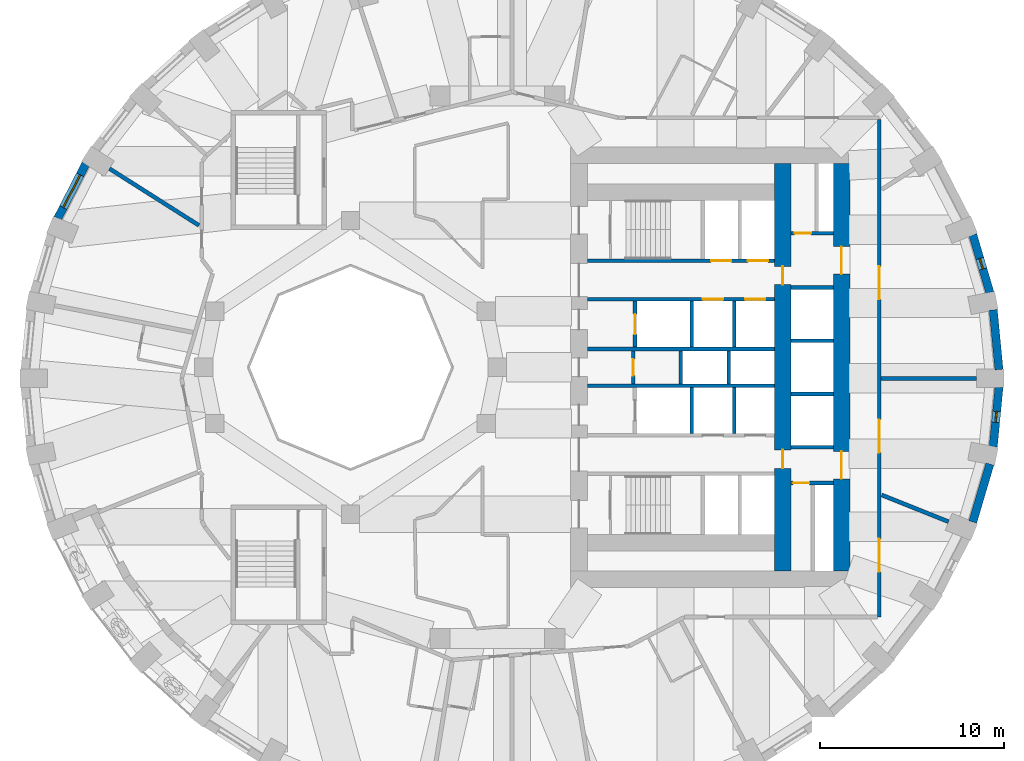
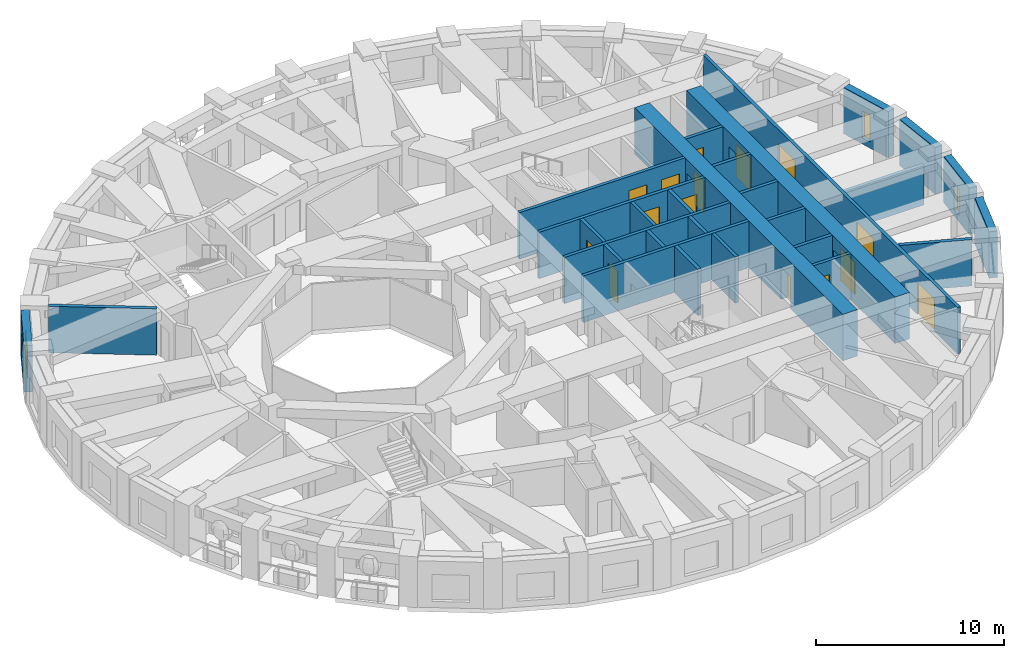
# One storey, part 6 of 12: 29 walls, 15 doors, 3 windows, 18 openings.
"""IFC4 building model written with IfcOpenShell, lengths in metres."""

from ifc_helpers import new_model, si_unit, direction, frame, frame_2d, origin, place, context, subcontext, project, spatial, rectangle, extrude, material, layer, layer_set, type_object, element, fill, save


model = new_model("IFC4")

# Units and contexts
model_context = context("Model", 3, precision=1e-05, world=origin(), true_north=direction((0.0, 1.0)))
body_context = subcontext(model_context, "Body", "Model", "MODEL_VIEW")
ifc_project = project(units=[si_unit("LENGTHUNIT", "METRE"), si_unit("AREAUNIT", "SQUARE_METRE"), si_unit("VOLUMEUNIT", "CUBIC_METRE"), si_unit("PLANEANGLEUNIT", "RADIAN"), si_unit("MASSUNIT", "GRAM", prefix="KILO")], contexts=[model_context])

# Site, building, storey
site_placement = place(None, origin())
site = spatial("IfcSite", under=ifc_project, at=site_placement, CompositionType="ELEMENT")
building_placement = place(site_placement, origin())
building = spatial("IfcBuilding", under=site, at=building_placement, Name="Taillehof Tower", CompositionType="ELEMENT")
storey_placement = place(building_placement, frame((0.0, 0.0, 95.5)))
storey = spatial("IfcBuildingStorey", under=building, at=storey_placement, Name="L26", CompositionType="ELEMENT", Elevation=95.5)

# Wall
ifc_material_1 = material(Name="Brick masonry", Category="masonry")
ifc_layer_1 = layer(ifc_material_1, 0.449951171875)
ifc_layer_set_1 = layer_set([ifc_layer_1], Name="Brick infill wall 450")
wall_type_1 = type_object("IfcWallType", Name="Brick infill wall 450", PredefinedType="SOLIDWALL", material=ifc_layer_set_1)
wall_1_placement = place(storey_placement, frame((27.32763671875, -0.119873046875, 0.0), z_axis=(0.0, 0.0, 1.0), x_axis=(-0.09589355735, 0.995391594127, 0.0)))
element("IfcWall", 1, at=wall_1_placement, inside=storey, type_object=wall_type_1, Name="Brick wall L26 bay 1", PredefinedType="SOLIDWALL", context=body_context, shape_type="SweptSolid", body=[
    extrude(rectangle(XDim=3.261474609375, YDim=0.449951171875, at=frame_2d((1.630859375, 0.0))), origin(), (0.0, 0.0, 1.0), 3.02001953125),
])

# Wall, opening, window
wall_2_placement = place(storey_placement, frame((26.83203125, 4.069091796875, 0.0), z_axis=(0.0, 0.0, 1.0), x_axis=(-0.283002902729, 0.959119052593, 0.0)))
wall_2 = element("IfcWall", 2, at=wall_2_placement, inside=storey, type_object=wall_type_1, Name="Brick wall L26 bay 2", PredefinedType="SOLIDWALL", context=body_context, shape_type="SweptSolid", body=[
    extrude(rectangle(XDim=3.285888671875, YDim=0.449951171875, at=frame_2d((1.64306640625, 0.0))), origin(), (0.0, 0.0, 1.0), 3.02001953125),
])
opening_1_placement = place(wall_2_placement, frame((1.343017578125, 0.0, 0.39990234375)))
opening_1 = element("IfcOpeningElement", 3, at=opening_1_placement, cuts=wall_2, Name="Opening W6", PredefinedType="OPENING", context=body_context, shape_type="SweptSolid", body=[
    extrude(rectangle(XDim=0.60009765625, YDim=1.75, at=frame_2d((0.300048828125, 0.875))), frame((0.0, 0.23486328125, 0.0), z_axis=(0.0, -1.0, 0.0), x_axis=(1.0, 0.0, 0.0)), (0.0, 0.0, 1.0), 0.469970703125),
])
ifc_material_2 = material(Name="Aluminium window frame with clear double glazing", Category="aluminium")
window_type_1 = type_object("IfcWindowType", Name="Slot window 600x1750", PartitioningType="SINGLE_PANEL", PredefinedType="WINDOW", material=ifc_material_2)
window_1_placement = place(opening_1_placement, origin())
window_1 = element("IfcWindow", 4, at=window_1_placement, inside=storey, type_object=window_type_1, Name="W6", OverallHeight=1.75, OverallWidth=0.60009765625, PartitioningType="SINGLE_PANEL", PredefinedType="WINDOW", context=body_context, shape_type="SweptSolid", body=[
    extrude(rectangle(XDim=0.60009765625, YDim=1.75, at=frame_2d((0.300048828125, 0.875))), frame((0.0, 0.034912109375, 0.0), z_axis=(0.0, -1.0, 0.0), x_axis=(1.0, 0.0, 0.0)), (0.0, 0.0, 1.0), 0.06005859375),
])
fill(opening_1, window_1)

wall_3_placement = place(storey_placement, frame((-22.4228515625, 11.076904296875, 0.0), z_axis=(0.0, 0.0, 1.0), x_axis=(-0.456828186229, -0.889554949549, 0.0)))
wall_3 = element("IfcWall", 5, at=wall_3_placement, inside=storey, type_object=wall_type_1, Name="Brick wall L26 bay 16", PredefinedType="SOLIDWALL", context=body_context, shape_type="SweptSolid", body=[
    extrude(rectangle(XDim=3.332763671875, YDim=0.449951171875, at=frame_2d((1.66650390625, 0.0))), origin(), (0.0, 0.0, 1.0), 3.02001953125),
])
opening_2_placement = place(wall_3_placement, frame((0.666259765625, 0.0, 0.39990234375)))
opening_2 = element("IfcOpeningElement", 6, at=opening_2_placement, cuts=wall_3, Name="Opening W2", PredefinedType="OPENING", context=body_context, shape_type="SweptSolid", body=[
    extrude(rectangle(XDim=2.0, YDim=1.75, at=frame_2d((1.0, 0.875))), frame((0.0, 0.23486328125, 0.0), z_axis=(0.0, -1.0, 0.0), x_axis=(1.0, 0.0, 0.0)), (0.0, 0.0, 1.0), 0.469970703125),
])
ifc_material_3 = material(Name="Aluminium window frame with clear double glazing", Category="aluminium")
window_type_2 = type_object("IfcWindowType", Name="Deep-set window 2000x1750", PartitioningType="SINGLE_PANEL", PredefinedType="WINDOW", material=ifc_material_3)
window_2_placement = place(opening_2_placement, origin())
window_2 = element("IfcWindow", 7, at=window_2_placement, inside=storey, type_object=window_type_2, Name="W2", OverallHeight=1.75, OverallWidth=2.0, PartitioningType="SINGLE_PANEL", PredefinedType="WINDOW", context=body_context, shape_type="SweptSolid", body=[
    extrude(rectangle(XDim=2.0, YDim=1.75, at=frame_2d((1.0, 0.875))), frame((0.0, 0.034912109375, 0.0), z_axis=(0.0, -1.0, 0.0), x_axis=(1.0, 0.0, 0.0)), (0.0, 0.0, 1.0), 0.06005859375),
])
fill(opening_2, window_2)

# Wall
wall_4_placement = place(storey_placement, frame((25.902099609375, -8.4208984375, 0.0), z_axis=(0.0, 0.0, 1.0), x_axis=(0.282982737009, 0.95912500257, 0.0)))
element("IfcWall", 8, at=wall_4_placement, inside=storey, type_object=wall_type_1, Name="Brick wall L26 bay 35", PredefinedType="SOLIDWALL", context=body_context, shape_type="SweptSolid", body=[
    extrude(rectangle(XDim=3.2861328125, YDim=0.449951171875, at=frame_2d((1.64306640625, 0.0))), origin(), (0.0, 0.0, 1.0), 3.02001953125),
])

# Wall, opening, window
wall_5_placement = place(storey_placement, frame((27.014892578125, -4.326416015625, 0.0), z_axis=(0.0, 0.0, 1.0), x_axis=(0.09589355735, 0.995391594127, 0.0)))
wall_5 = element("IfcWall", 9, at=wall_5_placement, inside=storey, type_object=wall_type_1, Name="Brick wall L26 bay 36", PredefinedType="SOLIDWALL", context=body_context, shape_type="SweptSolid", body=[
    extrude(rectangle(XDim=3.261474609375, YDim=0.449951171875, at=frame_2d((1.630859375, 0.0))), origin(), (0.0, 0.0, 1.0), 3.02001953125),
])
opening_3_placement = place(wall_5_placement, frame((1.33056640625, 0.0, 0.39990234375)))
opening_3 = element("IfcOpeningElement", 10, at=opening_3_placement, cuts=wall_5, Name="Opening W6", PredefinedType="OPENING", context=body_context, shape_type="SweptSolid", body=[
    extrude(rectangle(XDim=0.60009765625, YDim=1.75, at=frame_2d((0.300048828125, 0.875))), frame((0.0, 0.23486328125, 0.0), z_axis=(0.0, -1.0, 0.0), x_axis=(1.0, 0.0, 0.0)), (0.0, 0.0, 1.0), 0.469970703125),
])
window_3_placement = place(opening_3_placement, origin())
window_3 = element("IfcWindow", 11, at=window_3_placement, inside=storey, type_object=window_type_1, Name="W6", OverallHeight=1.75, OverallWidth=0.60009765625, PartitioningType="SINGLE_PANEL", PredefinedType="WINDOW", context=body_context, shape_type="SweptSolid", body=[
    extrude(rectangle(XDim=0.60009765625, YDim=1.75, at=frame_2d((0.300048828125, 0.875))), frame((0.0, 0.034912109375, 0.0), z_axis=(0.0, -1.0, 0.0), x_axis=(1.0, 0.0, 0.0)), (0.0, 0.0, 1.0), 0.06005859375),
])
fill(opening_3, window_3)

# Wall, opening, door
ifc_material_4 = material(Name="Calcium silicate masonry", Category="masonry")
ifc_layer_2 = layer(ifc_material_4, 0.199951171875)
ifc_layer_set_2 = layer_set([ifc_layer_2], Name="Compartment wall calcium silicate 200")
wall_type_2 = type_object("IfcWallType", Name="Compartment wall calcium silicate 200", PredefinedType="PARTITIONING", material=ifc_layer_set_2)
wall_6_placement = place(storey_placement, frame((7.39990234375, -0.89990234375, 0.0), z_axis=(0.0, 0.0, 1.0), x_axis=(0.0, 1.0, 0.0)))
wall_6 = element("IfcWall", 12, at=wall_6_placement, inside=storey, type_object=wall_type_2, Name="Compartment wall FW", PredefinedType="PARTITIONING", context=body_context, shape_type="SweptSolid", body=[
    extrude(rectangle(XDim=1.7998046875, YDim=0.199951171875, at=frame_2d((0.89990234375, 0.0))), origin(), (0.0, 0.0, 1.0), 3.02001953125),
])
opening_4_placement = place(wall_6_placement, frame((0.449951171875, 0.0, 0.0)))
opening_4 = element("IfcOpeningElement", 13, at=opening_4_placement, cuts=wall_6, Name="Opening D2614", PredefinedType="OPENING", context=body_context, shape_type="SweptSolid", body=[
    extrude(rectangle(XDim=0.89990234375, YDim=2.10009765625, at=frame_2d((0.449951171875, 1.050048828125))), frame((0.0, 0.10986328125, 0.0), z_axis=(0.0, -1.0, 0.0), x_axis=(1.0, 0.0, 0.0)), (0.0, 0.0, 1.0), 0.219970703125),
])
ifc_material_5 = material(Name="Steel-faced fire door", Category="steel")
door_type_1 = type_object("IfcDoorType", Name="Riser and service room door 900x2100", OperationType="SINGLE_SWING_LEFT", PredefinedType="DOOR", material=ifc_material_5)
door_1_placement = place(opening_4_placement, origin())
door_1 = element("IfcDoor", 14, at=door_1_placement, inside=storey, type_object=door_type_1, Name="Door Staff Pantry", OperationType="SINGLE_SWING_RIGHT", OverallHeight=2.10009765625, OverallWidth=0.89990234375, PredefinedType="DOOR", context=body_context, shape_type="SweptSolid", body=[
    extrude(rectangle(XDim=0.89990234375, YDim=2.10009765625, at=frame_2d((0.449951171875, 1.050048828125))), frame((0.0, 0.02490234375, 0.0), z_axis=(0.0, -1.0, 0.0), x_axis=(1.0, 0.0, 0.0)), (0.0, 0.0, 1.0), 0.050048828125),
])
fill(opening_4, door_1)

# Walls
for number, where, z_axis, x_axis, name in (
    (15, (10.0, -0.89990234375, 0.0), (0.0, 0.0, 1.0), (0.0, 1.0, 0.0), "Compartment wall FW"),
    (16, (12.60009765625, -0.89990234375, 0.0), (0.0, 0.0, 1.0), (0.0, 1.0, 0.0), "Compartment wall FW"),
):
    element("IfcWall", number, at=place(storey_placement, frame(where, z_axis=z_axis, x_axis=x_axis)), inside=storey, type_object=wall_type_2, Name=name, PredefinedType="PARTITIONING", context=body_context, shape_type="SweptSolid", body=[
        extrude(rectangle(XDim=1.7998046875, YDim=0.199951171875, at=frame_2d((0.89990234375, 0.0))), origin(), (0.0, 0.0, 1.0), 3.02001953125),
    ])

# Wall, opening, door
wall_7_placement = place(storey_placement, frame((16.0, 7.300048828125, 0.0), z_axis=(0.0, 0.0, 1.0), x_axis=(1.0, 0.0, 0.0)))
wall_7 = element("IfcWall", 17, at=wall_7_placement, inside=storey, type_object=wall_type_2, Name="Compartment wall FW", PredefinedType="PARTITIONING", context=body_context, shape_type="SweptSolid", body=[
    extrude(rectangle(XDim=2.300048828125, YDim=0.199951171875, at=frame_2d((1.14990234375, 0.0))), origin(), (0.0, 0.0, 1.0), 3.02001953125),
])
opening_5_placement = place(wall_7_placement, frame((0.199951171875, 0.0, 0.0)))
opening_5 = element("IfcOpeningElement", 18, at=opening_5_placement, cuts=wall_7, Name="Opening D2616", PredefinedType="OPENING", context=body_context, shape_type="SweptSolid", body=[
    extrude(rectangle(XDim=0.89990234375, YDim=2.10009765625, at=frame_2d((0.449951171875, 1.050048828125))), frame((0.0, 0.10986328125, 0.0), z_axis=(0.0, -1.0, 0.0), x_axis=(1.0, 0.0, 0.0)), (0.0, 0.0, 1.0), 0.219970703125),
])
door_2_placement = place(opening_5_placement, origin())
door_2 = element("IfcDoor", 19, at=door_2_placement, inside=storey, type_object=door_type_1, Name="Door Battery Room", OperationType="SINGLE_SWING_RIGHT", OverallHeight=2.10009765625, OverallWidth=0.89990234375, PredefinedType="DOOR", context=body_context, shape_type="SweptSolid", body=[
    extrude(rectangle(XDim=0.89990234375, YDim=2.10009765625, at=frame_2d((0.449951171875, 1.050048828125))), frame((0.0, 0.02490234375, 0.0), z_axis=(0.0, -1.0, 0.0), x_axis=(1.0, 0.0, 0.0)), (0.0, 0.0, 1.0), 0.050048828125),
])
fill(opening_5, door_2)

wall_8_placement = place(storey_placement, frame((16.0, -6.300048828125, 0.0), z_axis=(0.0, 0.0, 1.0), x_axis=(1.0, 0.0, 0.0)))
wall_8 = element("IfcWall", 20, at=wall_8_placement, inside=storey, type_object=wall_type_2, Name="Compartment wall FW", PredefinedType="PARTITIONING", context=body_context, shape_type="SweptSolid", body=[
    extrude(rectangle(XDim=2.300048828125, YDim=0.199951171875, at=frame_2d((1.14990234375, 0.0))), origin(), (0.0, 0.0, 1.0), 3.02001953125),
])
opening_6_placement = place(wall_8_placement, frame((0.10009765625, 0.0, 0.0)))
opening_6 = element("IfcOpeningElement", 21, at=opening_6_placement, cuts=wall_8, Name="Opening D2618", PredefinedType="OPENING", context=body_context, shape_type="SweptSolid", body=[
    extrude(rectangle(XDim=0.89990234375, YDim=2.10009765625, at=frame_2d((0.449951171875, 1.050048828125))), frame((0.0, 0.10986328125, 0.0), z_axis=(0.0, -1.0, 0.0), x_axis=(1.0, 0.0, 0.0)), (0.0, 0.0, 1.0), 0.219970703125),
])
door_3_placement = place(opening_6_placement, origin())
door_3 = element("IfcDoor", 22, at=door_3_placement, inside=storey, type_object=door_type_1, Name="Door Linen Store", OperationType="SINGLE_SWING_LEFT", OverallHeight=2.10009765625, OverallWidth=0.89990234375, PredefinedType="DOOR", context=body_context, shape_type="SweptSolid", body=[
    extrude(rectangle(XDim=0.89990234375, YDim=2.10009765625, at=frame_2d((0.449951171875, 1.050048828125))), frame((0.0, 0.02490234375, 0.0), z_axis=(0.0, -1.0, 0.0), x_axis=(1.0, 0.0, 0.0)), (0.0, 0.0, 1.0), 0.050048828125),
])
fill(opening_6, door_3)

# Wall, openings, doors
ifc_material_6 = material(Name="Gypsum board on steel studs, two layers each side", Category="steel")
ifc_layer_3 = layer(ifc_material_6, 0.199951171875)
ifc_layer_set_3 = layer_set([ifc_layer_3], Name="Compartment wall corridor 200")
wall_type_3 = type_object("IfcWallType", Name="Compartment wall corridor 200", PredefinedType="PARTITIONING", material=ifc_layer_set_3)
wall_9_placement = place(storey_placement, frame((20.800048828125, 13.5, 0.0), z_axis=(0.0, 0.0, 1.0), x_axis=(0.0, -1.0, 0.0)))
wall_9 = element("IfcWall", 23, at=wall_9_placement, inside=storey, type_object=wall_type_3, Name="Compartment wall", PredefinedType="PARTITIONING", context=body_context, shape_type="SweptSolid", body=[
    extrude(rectangle(XDim=27.10009765625, YDim=0.199951171875, at=frame_2d((13.550048828125, 0.0))), origin(), (0.0, 0.0, 1.0), 3.02001953125),
])
opening_7_placement = place(wall_9_placement, frame((22.84375, 0.0, 0.0)))
opening_7 = element("IfcOpeningElement", 24, at=opening_7_placement, cuts=wall_9, Name="Opening D2661", PredefinedType="OPENING", context=body_context, shape_type="SweptSolid", body=[
    extrude(rectangle(XDim=1.800048828125, YDim=2.10009765625, at=frame_2d((0.89990234375, 1.050048828125))), frame((0.0, 0.10986328125, 0.0), z_axis=(0.0, -1.0, 0.0), x_axis=(1.0, 0.0, 0.0)), (0.0, 0.0, 1.0), 0.219970703125),
])
opening_8_placement = place(wall_9_placement, frame((16.349609375, 0.0, 0.0)))
opening_8 = element("IfcOpeningElement", 25, at=opening_8_placement, cuts=wall_9, Name="Opening D2662", PredefinedType="OPENING", context=body_context, shape_type="SweptSolid", body=[
    extrude(rectangle(XDim=1.800048828125, YDim=2.10009765625, at=frame_2d((0.89990234375, 1.050048828125))), frame((0.0, 0.10986328125, 0.0), z_axis=(0.0, -1.0, 0.0), x_axis=(1.0, 0.0, 0.0)), (0.0, 0.0, 1.0), 0.219970703125),
])
opening_9_placement = place(wall_9_placement, frame((7.99609375, 0.0, 0.0)))
opening_9 = element("IfcOpeningElement", 26, at=opening_9_placement, cuts=wall_9, Name="Opening D2663", PredefinedType="OPENING", context=body_context, shape_type="SweptSolid", body=[
    extrude(rectangle(XDim=1.800048828125, YDim=2.10009765625, at=frame_2d((0.89990234375, 1.050048828125))), frame((0.0, 0.10986328125, 0.0), z_axis=(0.0, -1.0, 0.0), x_axis=(1.0, 0.0, 0.0)), (0.0, 0.0, 1.0), 0.219970703125),
])
ifc_material_7 = material(Name="Timber door leaf in steel frame", Category="steel")
door_type_2 = type_object("IfcDoorType", Name="Lounge and meeting room double door EI 30 1800 x 2100", OperationType="SINGLE_SWING_LEFT", PredefinedType="DOOR", material=ifc_material_7)
door_4_placement = place(opening_7_placement, origin())
door_4 = element("IfcDoor", 27, at=door_4_placement, inside=storey, type_object=door_type_2, Name="D2661", OperationType="DOUBLE_DOOR_SINGLE_SWING", OverallHeight=2.10009765625, OverallWidth=1.800048828125, PredefinedType="DOOR", context=body_context, shape_type="SweptSolid", body=[
    extrude(rectangle(XDim=1.800048828125, YDim=2.10009765625, at=frame_2d((0.89990234375, 1.050048828125))), frame((0.0, 0.02490234375, 0.0), z_axis=(0.0, -1.0, 0.0), x_axis=(1.0, 0.0, 0.0)), (0.0, 0.0, 1.0), 0.050048828125),
])
fill(opening_7, door_4)
door_5_placement = place(opening_8_placement, origin())
door_5 = element("IfcDoor", 28, at=door_5_placement, inside=storey, type_object=door_type_2, Name="D2662", OperationType="DOUBLE_DOOR_SINGLE_SWING", OverallHeight=2.10009765625, OverallWidth=1.800048828125, PredefinedType="DOOR", context=body_context, shape_type="SweptSolid", body=[
    extrude(rectangle(XDim=1.800048828125, YDim=2.10009765625, at=frame_2d((0.89990234375, 1.050048828125))), frame((0.0, 0.02490234375, 0.0), z_axis=(0.0, -1.0, 0.0), x_axis=(1.0, 0.0, 0.0)), (0.0, 0.0, 1.0), 0.050048828125),
])
fill(opening_8, door_5)
door_6_placement = place(opening_9_placement, origin())
door_6 = element("IfcDoor", 29, at=door_6_placement, inside=storey, type_object=door_type_2, Name="D2663", OperationType="DOUBLE_DOOR_SINGLE_SWING", OverallHeight=2.10009765625, OverallWidth=1.800048828125, PredefinedType="DOOR", context=body_context, shape_type="SweptSolid", body=[
    extrude(rectangle(XDim=1.800048828125, YDim=2.10009765625, at=frame_2d((0.89990234375, 1.050048828125))), frame((0.0, 0.02490234375, 0.0), z_axis=(0.0, -1.0, 0.0), x_axis=(1.0, 0.0, 0.0)), (0.0, 0.0, 1.0), 0.050048828125),
])
fill(opening_9, door_6)

# Walls
ifc_material_8 = material(Name="Gypsum board on double steel studs with mineral wool", Category="steel")
ifc_layer_4 = layer(ifc_material_8, 0.219970703125)
ifc_layer_set_4 = layer_set([ifc_layer_4], Name="Compartment wall guest room 220")
wall_type_4 = type_object("IfcWallType", Name="Compartment wall guest room 220", PredefinedType="PARTITIONING", material=ifc_layer_set_4)
wall_10_placement = place(storey_placement, frame((26.10009765625, -0.60009765625, 0.0), z_axis=(0.0, 0.0, 1.0), x_axis=(-1.0, 0.0, 0.0)))
element("IfcWall", 30, at=wall_10_placement, inside=storey, type_object=wall_type_4, Name="Compartment wall", PredefinedType="PARTITIONING", context=body_context, shape_type="SweptSolid", body=[
    extrude(rectangle(XDim=5.199951171875, YDim=0.219970703125, at=frame_2d((2.60009765625, 0.0))), origin(), (0.0, 0.0, 1.0), 2.570068359375),
])
wall_11_placement = place(storey_placement, frame((-21.12646484375, 10.8232421875, 0.0), z_axis=(0.0, 0.0, 1.0), x_axis=(0.844518840625, -0.535525842355, 0.0)))
element("IfcWall", 31, at=wall_11_placement, inside=storey, type_object=wall_type_4, Name="Compartment wall", PredefinedType="PARTITIONING", context=body_context, shape_type="SweptSolid", body=[
    extrude(rectangle(XDim=5.7734375, YDim=0.219970703125, at=frame_2d((2.88671875, 0.0))), origin(), (0.0, 0.0, 1.0), 3.02001953125),
])
wall_12_placement = place(storey_placement, frame((24.58251953125, -8.410400390625, 0.0), z_axis=(0.0, 0.0, 1.0), x_axis=(-0.928528147853, 0.371262008083, 0.0)))
element("IfcWall", 32, at=wall_12_placement, inside=storey, type_object=wall_type_4, Name="Compartment wall", PredefinedType="PARTITIONING", context=body_context, shape_type="SweptSolid", body=[
    extrude(rectangle(XDim=3.92578125, YDim=0.219970703125, at=frame_2d((1.962890625, 0.0))), origin(), (0.0, 0.0, 1.0), 3.02001953125),
])

# Wall, openings, doors
ifc_material_9 = material(Name="Concrete C80/95", Category="concrete")
ifc_layer_5 = layer(ifc_material_9, 0.89990234375)
ifc_layer_set_5 = layer_set([ifc_layer_5], Name="Core wall C80/95 900")
wall_type_5 = type_object("IfcWallType", Name="Core wall C80/95 900", PredefinedType="SHEAR", material=ifc_layer_set_5)
wall_13_placement = place(storey_placement, frame((18.75, -11.10009765625, 0.0), z_axis=(0.0, 0.0, 1.0), x_axis=(0.0, 1.0, 0.0)))
wall_13 = element("IfcWall", 33, at=wall_13_placement, inside=storey, type_object=wall_type_5, Name="Core wall CW02", PredefinedType="SHEAR", context=body_context, shape_type="SweptSolid", body=[
    extrude(rectangle(XDim=22.2001953125, YDim=0.89990234375, at=frame_2d((11.10009765625, 0.0))), origin(), (0.0, 0.0, 1.0), 3.02001953125),
])
opening_10_placement = place(wall_13_placement, frame((16.175048828125, 0.0, 0.0)))
opening_10 = element("IfcOpeningElement", 34, at=opening_10_placement, cuts=wall_13, Name="Opening D2608", PredefinedType="OPENING", context=body_context, shape_type="SweptSolid", body=[
    extrude(rectangle(XDim=1.5, YDim=2.10009765625, at=frame_2d((0.75, 1.050048828125))), frame((0.0, 0.4599609375, 0.0), z_axis=(0.0, -1.0, 0.0), x_axis=(1.0, 0.0, 0.0)), (0.0, 0.0, 1.0), 0.919921875),
])
opening_11_placement = place(wall_13_placement, frame((5.02490234375, 0.0, 0.0)))
opening_11 = element("IfcOpeningElement", 35, at=opening_11_placement, cuts=wall_13, Name="Opening D2609", PredefinedType="OPENING", context=body_context, shape_type="SweptSolid", body=[
    extrude(rectangle(XDim=1.5, YDim=2.10009765625, at=frame_2d((0.75, 1.050048828125))), frame((0.0, 0.4599609375, 0.0), z_axis=(0.0, -1.0, 0.0), x_axis=(1.0, 0.0, 0.0)), (0.0, 0.0, 1.0), 0.919921875),
])
ifc_material_10 = material(Name="Steel-faced fire door", Category="steel")
door_type_3 = type_object("IfcDoorType", Name="Lift lobby east door 1500x2100", OperationType="DOUBLE_DOOR_SINGLE_SWING", PredefinedType="DOOR", material=ifc_material_10)
door_7_placement = place(opening_10_placement, origin())
door_7 = element("IfcDoor", 36, at=door_7_placement, inside=storey, type_object=door_type_3, Name="Lift lobby east door north", OperationType="DOUBLE_DOOR_SINGLE_SWING", OverallHeight=2.10009765625, OverallWidth=1.5, PredefinedType="DOOR", context=body_context, shape_type="SweptSolid", body=[
    extrude(rectangle(XDim=1.5, YDim=2.10009765625, at=frame_2d((0.75, 1.050048828125))), frame((0.0, 0.02490234375, 0.0), z_axis=(0.0, -1.0, 0.0), x_axis=(1.0, 0.0, 0.0)), (0.0, 0.0, 1.0), 0.050048828125),
])
fill(opening_10, door_7)
door_8_placement = place(opening_11_placement, origin())
door_8 = element("IfcDoor", 37, at=door_8_placement, inside=storey, type_object=door_type_3, Name="Lift lobby east door south", OperationType="DOUBLE_DOOR_SINGLE_SWING", OverallHeight=2.10009765625, OverallWidth=1.5, PredefinedType="DOOR", context=body_context, shape_type="SweptSolid", body=[
    extrude(rectangle(XDim=1.5, YDim=2.10009765625, at=frame_2d((0.75, 1.050048828125))), frame((0.0, 0.02490234375, 0.0), z_axis=(0.0, -1.0, 0.0), x_axis=(1.0, 0.0, 0.0)), (0.0, 0.0, 1.0), 0.050048828125),
])
fill(opening_11, door_8)

wall_14_placement = place(storey_placement, frame((15.550048828125, -11.10009765625, 0.0), z_axis=(0.0, 0.0, 1.0), x_axis=(0.0, 1.0, 0.0)))
wall_14 = element("IfcWall", 38, at=wall_14_placement, inside=storey, type_object=wall_type_5, Name="Core wall CW05", PredefinedType="SHEAR", context=body_context, shape_type="SweptSolid", body=[
    extrude(rectangle(XDim=22.2001953125, YDim=0.89990234375, at=frame_2d((11.10009765625, 0.0))), origin(), (0.0, 0.0, 1.0), 3.02001953125),
])
opening_12_placement = place(wall_14_placement, frame((15.60009765625, 0.0, 0.0)))
opening_12 = element("IfcOpeningElement", 39, at=opening_12_placement, cuts=wall_14, Name="Opening D2615", PredefinedType="OPENING", context=body_context, shape_type="SweptSolid", body=[
    extrude(rectangle(XDim=1.0, YDim=2.10009765625, at=frame_2d((0.5, 1.050048828125))), frame((0.0, 0.4599609375, 0.0), z_axis=(0.0, -1.0, 0.0), x_axis=(1.0, 0.0, 0.0)), (0.0, 0.0, 1.0), 0.919921875),
])
opening_13_placement = place(wall_14_placement, frame((5.60009765625, 0.0, 0.0)))
opening_13 = element("IfcOpeningElement", 40, at=opening_13_placement, cuts=wall_14, Name="Opening D2617", PredefinedType="OPENING", context=body_context, shape_type="SweptSolid", body=[
    extrude(rectangle(XDim=1.0, YDim=2.10009765625, at=frame_2d((0.5, 1.050048828125))), frame((0.0, 0.4599609375, 0.0), z_axis=(0.0, -1.0, 0.0), x_axis=(1.0, 0.0, 0.0)), (0.0, 0.0, 1.0), 0.919921875),
])
ifc_material_11 = material(Name="Steel-faced fire door", Category="steel")
door_type_4 = type_object("IfcDoorType", Name="Service door 1000x2100", OperationType="SINGLE_SWING_RIGHT", PredefinedType="DOOR", material=ifc_material_11)
door_9_placement = place(opening_12_placement, origin())
door_9 = element("IfcDoor", 41, at=door_9_placement, inside=storey, type_object=door_type_4, Name="Service door strip", OperationType="SINGLE_SWING_RIGHT", OverallHeight=2.10009765625, OverallWidth=1.0, PredefinedType="DOOR", context=body_context, shape_type="SweptSolid", body=[
    extrude(rectangle(XDim=1.0, YDim=2.10009765625, at=frame_2d((0.5, 1.050048828125))), frame((0.0, 0.02490234375, 0.0), z_axis=(0.0, -1.0, 0.0), x_axis=(1.0, 0.0, 0.0)), (0.0, 0.0, 1.0), 0.050048828125),
])
fill(opening_12, door_9)
door_10_placement = place(opening_13_placement, origin())
door_10 = element("IfcDoor", 42, at=door_10_placement, inside=storey, type_object=door_type_4, Name="Service door strip", OperationType="SINGLE_SWING_LEFT", OverallHeight=2.10009765625, OverallWidth=1.0, PredefinedType="DOOR", context=body_context, shape_type="SweptSolid", body=[
    extrude(rectangle(XDim=1.0, YDim=2.10009765625, at=frame_2d((0.5, 1.050048828125))), frame((0.0, 0.02490234375, 0.0), z_axis=(0.0, -1.0, 0.0), x_axis=(1.0, 0.0, 0.0)), (0.0, 0.0, 1.0), 0.050048828125),
])
fill(opening_13, door_10)

ifc_material_12 = material(Name="Concrete C50/60", Category="concrete")
ifc_layer_6 = layer(ifc_material_12, 0.199951171875)
ifc_layer_set_6 = layer_set([ifc_layer_6], Name="Shaft wall C50/60 200")
wall_type_6 = type_object("IfcWallType", Name="Shaft wall C50/60 200", PredefinedType="SHEAR", material=ifc_layer_set_6)
wall_15_placement = place(storey_placement, frame((4.89990234375, 5.800048828125, 0.0), z_axis=(0.0, 0.0, 1.0), x_axis=(1.0, 0.0, 0.0)))
wall_15 = element("IfcWall", 43, at=wall_15_placement, inside=storey, type_object=wall_type_6, Name="Shaft wall SW", PredefinedType="SHEAR", context=body_context, shape_type="SweptSolid", body=[
    extrude(rectangle(XDim=10.2001953125, YDim=0.199951171875, at=frame_2d((5.10009765625, 0.0))), origin(), (0.0, 0.0, 1.0), 3.02001953125),
])
opening_14_placement = place(wall_15_placement, frame((6.75, 0.0, 0.0)))
opening_14 = element("IfcOpeningElement", 44, at=opening_14_placement, cuts=wall_15, Name="Opening LD1", PredefinedType="OPENING", context=body_context, shape_type="SweptSolid", body=[
    extrude(rectangle(XDim=1.10009765625, YDim=2.10009765625, at=frame_2d((0.550048828125, 1.050048828125))), frame((0.0, 0.10986328125, 0.0), z_axis=(0.0, -1.0, 0.0), x_axis=(1.0, 0.0, 0.0)), (0.0, 0.0, 1.0), 0.219970703125),
])
opening_15_placement = place(wall_15_placement, frame((8.75, 0.0, 0.0)))
opening_15 = element("IfcOpeningElement", 45, at=opening_15_placement, cuts=wall_15, Name="Opening LD1", PredefinedType="OPENING", context=body_context, shape_type="SweptSolid", body=[
    extrude(rectangle(XDim=1.10009765625, YDim=2.10009765625, at=frame_2d((0.550048828125, 1.050048828125))), frame((0.0, 0.10986328125, 0.0), z_axis=(0.0, -1.0, 0.0), x_axis=(1.0, 0.0, 0.0)), (0.0, 0.0, 1.0), 0.219970703125),
])
ifc_material_13 = material(Name="Stainless steel", Category="steel")
door_type_5 = type_object("IfcDoorType", Name="Lift landing door LD1 1100x2100", OperationType="DOUBLE_DOOR_SLIDING", PredefinedType="DOOR", material=ifc_material_13)
door_11_placement = place(opening_14_placement, origin())
door_11 = element("IfcDoor", 46, at=door_11_placement, inside=storey, type_object=door_type_5, Name="Landing door LR1", OperationType="DOUBLE_DOOR_SLIDING", OverallHeight=2.10009765625, OverallWidth=1.10009765625, PredefinedType="DOOR", context=body_context, shape_type="SweptSolid", body=[
    extrude(rectangle(XDim=1.10009765625, YDim=2.10009765625, at=frame_2d((0.550048828125, 1.050048828125))), frame((0.0, 0.02490234375, 0.0), z_axis=(0.0, -1.0, 0.0), x_axis=(1.0, 0.0, 0.0)), (0.0, 0.0, 1.0), 0.050048828125),
])
fill(opening_14, door_11)
door_12_placement = place(opening_15_placement, origin())
door_12 = element("IfcDoor", 47, at=door_12_placement, inside=storey, type_object=door_type_5, Name="Landing door LR2", OperationType="DOUBLE_DOOR_SLIDING", OverallHeight=2.10009765625, OverallWidth=1.10009765625, PredefinedType="DOOR", context=body_context, shape_type="SweptSolid", body=[
    extrude(rectangle(XDim=1.10009765625, YDim=2.10009765625, at=frame_2d((0.550048828125, 1.050048828125))), frame((0.0, 0.02490234375, 0.0), z_axis=(0.0, -1.0, 0.0), x_axis=(1.0, 0.0, 0.0)), (0.0, 0.0, 1.0), 0.050048828125),
])
fill(opening_15, door_12)

wall_16_placement = place(storey_placement, frame((4.89990234375, 3.699951171875, 0.0), z_axis=(0.0, 0.0, 1.0), x_axis=(1.0, 0.0, 0.0)))
wall_16 = element("IfcWall", 48, at=wall_16_placement, inside=storey, type_object=wall_type_6, Name="Shaft wall SW", PredefinedType="SHEAR", context=body_context, shape_type="SweptSolid", body=[
    extrude(rectangle(XDim=10.2001953125, YDim=0.199951171875, at=frame_2d((5.10009765625, 0.0))), origin(), (0.0, 0.0, 1.0), 3.02001953125),
])
opening_16_placement = place(wall_16_placement, frame((6.300048828125, 0.0, 0.0)))
opening_16 = element("IfcOpeningElement", 49, at=opening_16_placement, cuts=wall_16, Name="Opening LD1", PredefinedType="OPENING", context=body_context, shape_type="SweptSolid", body=[
    extrude(rectangle(XDim=1.10009765625, YDim=2.10009765625, at=frame_2d((0.550048828125, 1.050048828125))), frame((0.0, 0.10986328125, 0.0), z_axis=(0.0, -1.0, 0.0), x_axis=(1.0, 0.0, 0.0)), (0.0, 0.0, 1.0), 0.219970703125),
])
opening_17_placement = place(wall_16_placement, frame((8.60009765625, 0.0, 0.0)))
opening_17 = element("IfcOpeningElement", 50, at=opening_17_placement, cuts=wall_16, Name="Opening LD1", PredefinedType="OPENING", context=body_context, shape_type="SweptSolid", body=[
    extrude(rectangle(XDim=1.10009765625, YDim=2.10009765625, at=frame_2d((0.550048828125, 1.050048828125))), frame((0.0, 0.10986328125, 0.0), z_axis=(0.0, -1.0, 0.0), x_axis=(1.0, 0.0, 0.0)), (0.0, 0.0, 1.0), 0.219970703125),
])
door_13_placement = place(opening_16_placement, origin())
door_13 = element("IfcDoor", 51, at=door_13_placement, inside=storey, type_object=door_type_5, Name="Landing door LR3", OperationType="DOUBLE_DOOR_SLIDING", OverallHeight=2.10009765625, OverallWidth=1.10009765625, PredefinedType="DOOR", context=body_context, shape_type="SweptSolid", body=[
    extrude(rectangle(XDim=1.10009765625, YDim=2.10009765625, at=frame_2d((0.550048828125, 1.050048828125))), frame((0.0, 0.02490234375, 0.0), z_axis=(0.0, -1.0, 0.0), x_axis=(1.0, 0.0, 0.0)), (0.0, 0.0, 1.0), 0.050048828125),
])
fill(opening_16, door_13)
door_14_placement = place(opening_17_placement, origin())
door_14 = element("IfcDoor", 52, at=door_14_placement, inside=storey, type_object=door_type_5, Name="Landing door LR4", OperationType="DOUBLE_DOOR_SLIDING", OverallHeight=2.10009765625, OverallWidth=1.10009765625, PredefinedType="DOOR", context=body_context, shape_type="SweptSolid", body=[
    extrude(rectangle(XDim=1.10009765625, YDim=2.10009765625, at=frame_2d((0.550048828125, 1.050048828125))), frame((0.0, 0.02490234375, 0.0), z_axis=(0.0, -1.0, 0.0), x_axis=(1.0, 0.0, 0.0)), (0.0, 0.0, 1.0), 0.050048828125),
])
fill(opening_17, door_14)

# Walls
for number, where, z_axis, x_axis, name in (
    (53, (4.89990234375, 1.0, 0.0), (0.0, 0.0, 1.0), (1.0, 0.0, 0.0), "Shaft wall SW"),
    (54, (4.89990234375, -1.0, 0.0), (0.0, 0.0, 1.0), (1.0, 0.0, 0.0), "Shaft wall SW"),
):
    element("IfcWall", number, at=place(storey_placement, frame(where, z_axis=z_axis, x_axis=x_axis)), inside=storey, type_object=wall_type_6, Name=name, PredefinedType="SHEAR", context=body_context, shape_type="SweptSolid", body=[
        extrude(rectangle(XDim=10.2001953125, YDim=0.199951171875, at=frame_2d((5.10009765625, 0.0))), origin(), (0.0, 0.0, 1.0), 3.02001953125),
    ])

# Wall, opening, door
wall_17_placement = place(storey_placement, frame((7.5, 1.10009765625, 0.0), z_axis=(0.0, 0.0, 1.0), x_axis=(0.0, 1.0, 0.0)))
wall_17 = element("IfcWall", 55, at=wall_17_placement, inside=storey, type_object=wall_type_6, Name="Shaft wall SW", PredefinedType="SHEAR", context=body_context, shape_type="SweptSolid", body=[
    extrude(rectangle(XDim=2.5, YDim=0.199951171875, at=frame_2d((1.25, 0.0))), origin(), (0.0, 0.0, 1.0), 3.02001953125),
])
opening_18_placement = place(wall_17_placement, frame((0.699951171875, 0.0, 0.0)))
opening_18 = element("IfcOpeningElement", 56, at=opening_18_placement, cuts=wall_17, Name="Opening LD1", PredefinedType="OPENING", context=body_context, shape_type="SweptSolid", body=[
    extrude(rectangle(XDim=1.10009765625, YDim=2.10009765625, at=frame_2d((0.550048828125, 1.050048828125))), frame((0.0, 0.10986328125, 0.0), z_axis=(0.0, -1.0, 0.0), x_axis=(1.0, 0.0, 0.0)), (0.0, 0.0, 1.0), 0.219970703125),
])
door_15_placement = place(opening_18_placement, origin())
door_15 = element("IfcDoor", 57, at=door_15_placement, inside=storey, type_object=door_type_5, Name="Landing door FF1", OperationType="DOUBLE_DOOR_SLIDING", OverallHeight=2.10009765625, OverallWidth=1.10009765625, PredefinedType="DOOR", context=body_context, shape_type="SweptSolid", body=[
    extrude(rectangle(XDim=1.10009765625, YDim=2.10009765625, at=frame_2d((0.550048828125, 1.050048828125))), frame((0.0, 0.02490234375, 0.0), z_axis=(0.0, -1.0, 0.0), x_axis=(1.0, 0.0, 0.0)), (0.0, 0.0, 1.0), 0.050048828125),
])
fill(opening_18, door_15)

# Walls
for number, where, z_axis, x_axis, name in (
    (58, (10.60009765625, 1.10009765625, 0.0), (0.0, 0.0, 1.0), (0.0, 1.0, 0.0), "Shaft wall SW"),
    (59, (10.60009765625, -3.60009765625, 0.0), (0.0, 0.0, 1.0), (0.0, 1.0, 0.0), "Shaft wall SW"),
    (60, (12.89990234375, 1.10009765625, 0.0), (0.0, 0.0, 1.0), (0.0, 1.0, 0.0), "Shaft wall SW"),
    (61, (12.89990234375, -3.60009765625, 0.0), (0.0, 0.0, 1.0), (0.0, 1.0, 0.0), "Shaft wall SW"),
):
    element("IfcWall", number, at=place(storey_placement, frame(where, z_axis=z_axis, x_axis=x_axis)), inside=storey, type_object=wall_type_6, Name=name, PredefinedType="SHEAR", context=body_context, shape_type="SweptSolid", body=[
        extrude(rectangle(XDim=2.5, YDim=0.199951171875, at=frame_2d((1.25, 0.0))), origin(), (0.0, 0.0, 1.0), 3.02001953125),
    ])
for number, where, z_axis, x_axis, name in (
    (62, (16.0, -4.35009765625, 0.0), (0.0, 0.0, 1.0), (1.0, 0.0, 0.0), "Shaft wall SW"),
    (63, (16.0, -1.449951171875, 0.0), (0.0, 0.0, 1.0), (1.0, 0.0, 0.0), "Shaft wall SW"),
    (64, (16.0, 1.449951171875, 0.0), (0.0, 0.0, 1.0), (1.0, 0.0, 0.0), "Shaft wall SW"),
    (65, (16.0, 4.35009765625, 0.0), (0.0, 0.0, 1.0), (1.0, 0.0, 0.0), "Shaft wall SW"),
):
    element("IfcWall", number, at=place(storey_placement, frame(where, z_axis=z_axis, x_axis=x_axis)), inside=storey, type_object=wall_type_6, Name=name, PredefinedType="SHEAR", context=body_context, shape_type="SweptSolid", body=[
        extrude(rectangle(XDim=2.300048828125, YDim=0.199951171875, at=frame_2d((1.14990234375, 0.0))), origin(), (0.0, 0.0, 1.0), 3.02001953125),
    ])

save(model, "model.ifc")
